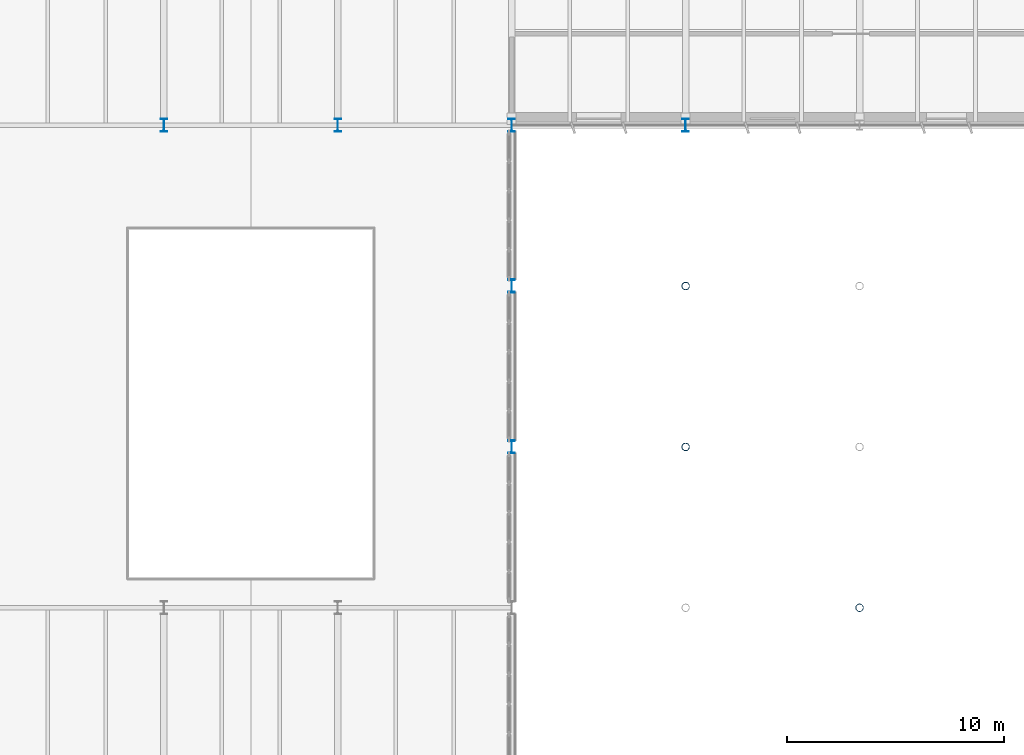
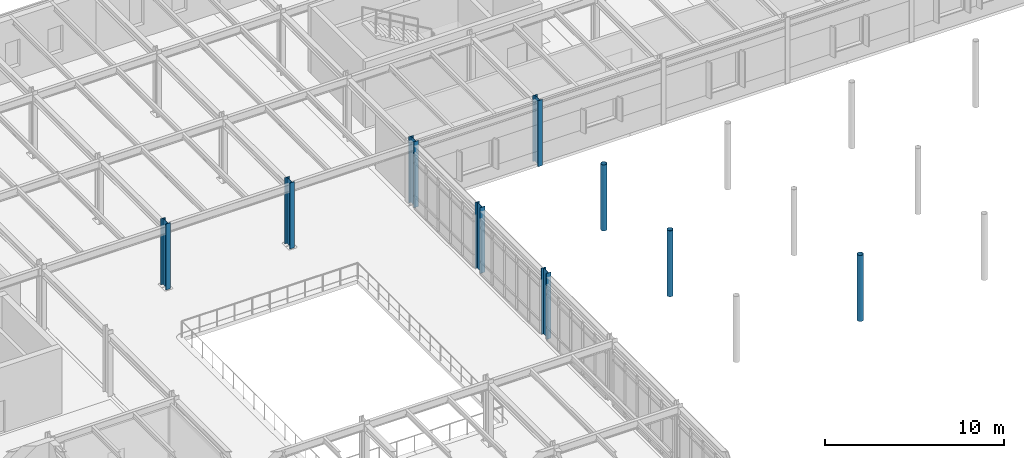
# One storey, part 5 of 75: 9 columns.
"""IFC4 building model written with IfcOpenShell, lengths in metres."""

import ifcopenshell
import ifcopenshell.guid

model = None  # the IFC model being written
_history = None  # IfcOwnerHistory: only IFC2X3 demands one
_inside = {}  # id of a spatial element -> (the spatial element, [elements in it])
_under = {}  # id of a project, library or spatial element -> (it, [spatial elements below it])
_declared = {}  # id of a project -> (the project, [libraries it declares])
_typed = {}  # id of a type object -> (the type object, [elements of that type])
_made_of = {}  # id of a material, layer set ... -> (it, [elements and type objects made of it])


def new_model(schema):
    """Start an empty IFC model of exactly this schema.

    Asked for "IFC4X3", IfcOpenShell would pick the latest addendum, in which some entities
    have other attributes; the version numbers below select the first issue.
    IFC2X3 requires an IfcOwnerHistory on every rooted entity: one is made here for all.
    """
    global model, _history
    if schema == "IFC4X3":
        model = ifcopenshell.file(schema_version=(4, 3, 0, 0))
    else:
        model = ifcopenshell.file(schema=schema)
    _inside.clear()
    _under.clear()
    _declared.clear()
    _typed.clear()
    _made_of.clear()
    _history = None
    if model.schema == "IFC2X3":
        org = make("IfcOrganization", Name="unknown")
        user = make(
            "IfcPersonAndOrganization",
            ThePerson=make("IfcPerson", FamilyName="unknown"),
            TheOrganization=org,
        )
        app = make(
            "IfcApplication",
            ApplicationDeveloper=org,
            Version="unknown",
            ApplicationFullName="unknown",
            ApplicationIdentifier="unknown",
        )
        _history = make(
            "IfcOwnerHistory",
            OwningUser=user,
            OwningApplication=app,
            ChangeAction="ADDED",
            CreationDate=0,
        )
    return model


def make(cls, **values):
    """One entity of the class cls with the attributes given. An attribute that is None is left unset."""
    return model.create_entity(
        cls, **{name: value for name, value in values.items() if value is not None}
    )


def rooted(cls, **values):
    """An entity with a GlobalId (a new one), such as an element, a storey or a relation."""
    return make(cls, GlobalId=ifcopenshell.guid.new(), OwnerHistory=_history, **values)


def si_unit(unit_type, name, prefix=None):
    """IfcSIUnit, for example si_unit("LENGTHUNIT", "METRE", prefix="MILLI")."""
    return make("IfcSIUnit", UnitType=unit_type, Prefix=prefix, Name=name)


def assignment(units):
    """IfcUnitAssignment: the units of a project."""
    return None if units is None else make("IfcUnitAssignment", Units=units)


def point(xyz):
    """IfcCartesianPoint."""
    return None if xyz is None else make("IfcCartesianPoint", Coordinates=xyz)


def direction(xyz):
    """IfcDirection."""
    return None if xyz is None else make("IfcDirection", DirectionRatios=xyz)


def frame(location, z_axis=None, x_axis=None):
    """IfcAxis2Placement3D, a coordinate frame: its origin and axes. An axis left out is left unset."""
    return make(
        "IfcAxis2Placement3D",
        Location=point(location),
        Axis=direction(z_axis),
        RefDirection=direction(x_axis),
    )


def frame_2d(location, x_axis=None):
    """IfcAxis2Placement2D, a coordinate frame in the plane: its origin and x axis."""
    return make(
        "IfcAxis2Placement2D", Location=point(location), RefDirection=direction(x_axis)
    )


def origin():
    """The frame at (0, 0, 0) with its axes left unset."""
    return frame((0.0, 0.0, 0.0))


def origin_2d():
    """The frame at (0, 0) in the plane with its x axis left unset."""
    return frame_2d((0.0, 0.0))


def place(relative_to, where):
    """IfcLocalPlacement: puts the frame where relative to a parent placement (None: the world)."""
    return make(
        "IfcLocalPlacement", PlacementRelTo=relative_to, RelativePlacement=where
    )


def context(
    kind, dimensions, precision=None, world=None, true_north=None, identifier=None
):
    """IfcGeometricRepresentationContext, for example the 3D "Model" context."""
    return make(
        "IfcGeometricRepresentationContext",
        ContextIdentifier=identifier,
        ContextType=kind,
        CoordinateSpaceDimension=dimensions,
        Precision=precision,
        WorldCoordinateSystem=world,
        TrueNorth=true_north,
    )


def subcontext(parent, identifier, kind, view, scale=None):
    """IfcGeometricRepresentationSubContext, for example "Body" below "Model"."""
    return make(
        "IfcGeometricRepresentationSubContext",
        ContextIdentifier=identifier,
        ContextType=kind,
        ParentContext=parent,
        TargetScale=scale,
        TargetView=view,
    )


def project(units=None, contexts=None):
    """IfcProject with its units and contexts."""
    return rooted(
        "IfcProject",
        Name="project",
        RepresentationContexts=contexts,
        UnitsInContext=assignment(units),
    )


def spatial(cls, under=None, at=None, **own):
    """A site, building, storey or space (cls), placed at a placement, below another one or the project."""
    s = rooted(cls, ObjectPlacement=at, **own)
    if under is not None:
        _under.setdefault(under.id(), (under, []))[1].append(s)
    return s


def profile(cls, at=None, kind="AREA", **sizes):
    """A parametric profile (cls). Its sizes go by their IFC names, for example OverallWidth=200.0."""
    return make(cls, ProfileType=kind, Position=at, **sizes)


def hollow_circle(**sizes):
    """IfcCircleHollowProfileDef."""
    return profile("IfcCircleHollowProfileDef", **sizes)


def i_section(**sizes):
    """IfcIShapeProfileDef."""
    return profile("IfcIShapeProfileDef", **sizes)


def extrude(swept, where, along, depth):
    """IfcExtrudedAreaSolid: the profile swept, set in the frame where, extruded along a direction by depth."""
    return make(
        "IfcExtrudedAreaSolid",
        SweptArea=swept,
        Position=where,
        ExtrudedDirection=direction(along),
        Depth=depth,
    )


def shape(context_of_items, identifier, shape_type, items):
    """IfcShapeRepresentation: the items that make up one representation, for example the "Body"."""
    return make(
        "IfcShapeRepresentation",
        ContextOfItems=context_of_items,
        RepresentationIdentifier=identifier,
        RepresentationType=shape_type,
        Items=items,
    )


def material(Name=None, Category=None):
    """IfcMaterial."""
    return make("IfcMaterial", Name=Name, Category=Category)


def material_profile(
    of_material, cross_section, Name=None, Category=None, Priority=None
):
    """IfcMaterialProfile: a cross section and its material."""
    return make(
        "IfcMaterialProfile",
        Name=Name,
        Material=of_material,
        Profile=cross_section,
        Priority=Priority,
        Category=Category,
    )


def profile_set(profiles, Name=None, composite=None):
    """IfcMaterialProfileSet."""
    return make(
        "IfcMaterialProfileSet",
        Name=Name,
        MaterialProfiles=profiles,
        CompositeProfile=composite,
    )


def made_of(thing, what):
    """Note that an element or type object is made of a material, layer set ...; save() writes the relation."""
    if what is not None:
        _made_of.setdefault(what.id(), (what, []))[1].append(thing)
    return thing


def type_object(cls, material=None, **own):
    """A type object (cls), such as IfcWallType, which elements share."""
    return made_of(rooted(cls, **own), material)


def element(
    cls,
    number,
    at=None,
    inside=None,
    cuts=None,
    type_object=None,
    material=None,
    context=None,
    identifier="Body",
    shape_type=None,
    held_by="IfcProductDefinitionShape",
    body=None,
    shapes=None,
    **own,
):
    """One element of the class cls, such as IfcWall. Its Tag is "e" and its number.

    at: its placement. inside: the storey or other place that contains it. cuts: it is an
    opening in that element (IfcRelVoidsElement). A single representation is given by context,
    identifier, shape_type and body (its items); several are given by shapes. held_by: the class
    of the entity that holds the representations. save() writes the other relations.
    """
    e = rooted(cls, Tag="e%d" % number, ObjectPlacement=at, **own)
    if body is not None:
        shapes = [shape(context, identifier, shape_type, body)]
    if shapes is not None:
        e.Representation = make(held_by, Representations=shapes)
    if inside is not None:
        _inside.setdefault(inside.id(), (inside, []))[1].append(e)
    if cuts is not None:
        rooted(
            "IfcRelVoidsElement", RelatingBuildingElement=cuts, RelatedOpeningElement=e
        )
    if type_object is not None:
        _typed.setdefault(type_object.id(), (type_object, []))[1].append(e)
    return made_of(e, material)


def aggregate(whole, parts):
    """IfcRelAggregates: a whole, such as a stair, and the parts it consists of."""
    return rooted("IfcRelAggregates", RelatingObject=whole, RelatedObjects=parts)


def save(model, path):
    """Write the relations noted so far, then the file.

    IfcRelAggregates (storeys below a building ...), IfcRelContainedInSpatialStructure (elements
    in a storey), IfcRelDefinesByType, IfcRelAssociatesMaterial and IfcRelDeclares: one each for
    every whole, place, type object, material and project.
    """
    for whole, parts in _under.values():
        aggregate(whole, parts)
    for where, things in _inside.values():
        rooted(
            "IfcRelContainedInSpatialStructure",
            RelatedElements=things,
            RelatingStructure=where,
        )
    for kind, things in _typed.values():
        rooted("IfcRelDefinesByType", RelatedObjects=things, RelatingType=kind)
    for what, things in _made_of.values():
        rooted("IfcRelAssociatesMaterial", RelatedObjects=things, RelatingMaterial=what)
    for by, libraries in _declared.values():
        rooted("IfcRelDeclares", RelatingContext=by, RelatedDefinitions=libraries)
    model.write(path)


model = new_model("IFC4")

# Units and contexts
model_context = context("Model", 3, precision=1e-05, world=origin(), true_north=direction((0.0, 1.0)))
body_context = subcontext(model_context, "Body", "Model", "MODEL_VIEW")
ifc_project = project(units=[si_unit("LENGTHUNIT", "METRE"), si_unit("AREAUNIT", "SQUARE_METRE"), si_unit("VOLUMEUNIT", "CUBIC_METRE"), si_unit("PLANEANGLEUNIT", "RADIAN"), si_unit("MASSUNIT", "GRAM", prefix="KILO")], contexts=[model_context])

# Site, building, storey
site_placement = place(None, origin())
site = spatial("IfcSite", under=ifc_project, at=site_placement, CompositionType="ELEMENT")
building_placement = place(site_placement, origin())
building = spatial("IfcBuilding", under=site, at=building_placement, Name="Valkorina Park Police Headquarters", CompositionType="ELEMENT")
storey_placement = place(building_placement, frame((0.0, 0.0, 5.39990234375)))
storey = spatial("IfcBuildingStorey", under=building, at=storey_placement, Name="L02", CompositionType="ELEMENT", Elevation=5.39990234375)

# Columns
ifc_material = material(Name="Steel S355", Category="steel")
ifc_material_profile_1 = material_profile(ifc_material, hollow_circle(Radius=0.177734375, WallThickness=0.01611328125, at=origin_2d()), Name="CHS 355.6x16")
ifc_profile_set_1 = profile_set([ifc_material_profile_1], Name="Steel S355")
column_type_1 = type_object("IfcColumnType", Name="COL-S355-CHS355-EXT", PredefinedType="COLUMN", material=ifc_profile_set_1)
for number, where, z_axis, x_axis, name in (
    (1, (88.800048828125, 44.39990234375, 0.0), (0.0, 0.0, 1.0), (1.0, 0.0, 0.0), "L02 Column 0621"),
    (2, (88.800048828125, 51.800048828125, 0.0), (0.0, 0.0, 1.0), (1.0, 0.0, 0.0), "L02 Column 0622"),
    (3, (96.800048828125, 37.0, 0.0), (0.0, 0.0, 1.0), (1.0, 0.0, 0.0), "L02 Column 0627"),
):
    element("IfcColumn", number, at=place(storey_placement, frame(where, z_axis=z_axis, x_axis=x_axis)), inside=storey, type_object=column_type_1, Name=name, PredefinedType="COLUMN", context=body_context, shape_type="SweptSolid", body=[
        extrude(hollow_circle(Radius=0.177734375, WallThickness=0.01611328125, at=origin_2d()), origin(), (0.0, 0.0, 1.0), 4.5),
    ])
ifc_material_profile_2 = material_profile(ifc_material, i_section(OverallWidth=0.300048828125, OverallDepth=0.60009765625, WebThickness=0.015380859375, FlangeThickness=0.030029296875, FilletRadius=0.027099609375, at=origin_2d()), Name="HEB 600")
ifc_profile_set_2 = profile_set([ifc_material_profile_2], Name="Steel S355")
column_type_2 = type_object("IfcColumnType", Name="COL-S355-HEB600-EXT", PredefinedType="COLUMN", material=ifc_profile_set_2)
for number, where, z_axis, x_axis, name in (
    (4, (80.800048828125, 44.39990234375, 0.0), (0.0, 0.0, 1.0), (1.0, 0.0, 0.0), "L02 Column 0614"),
    (5, (80.800048828125, 51.800048828125, 0.0), (0.0, 0.0, 1.0), (1.0, 0.0, 0.0), "L02 Column 0615"),
    (6, (80.800048828125, 59.199951171875, 0.0), (0.0, 0.0, 1.0), (1.0, 0.0, 0.0), "L02 Column 0616"),
    (7, (88.800048828125, 59.199951171875, 0.0), (0.0, 0.0, 1.0), (1.0, 0.0, 0.0), "L02 Column 0623"),
):
    element("IfcColumn", number, at=place(storey_placement, frame(where, z_axis=z_axis, x_axis=x_axis)), inside=storey, type_object=column_type_2, Name=name, PredefinedType="COLUMN", context=body_context, shape_type="SweptSolid", body=[
        extrude(i_section(OverallWidth=0.300048828125, OverallDepth=0.60009765625, WebThickness=0.015380859375, FlangeThickness=0.030029296875, FilletRadius=0.027099609375, at=origin_2d()), origin(), (0.0, 0.0, 1.0), 4.5),
    ])
ifc_material_profile_3 = material_profile(ifc_material, i_section(OverallWidth=0.300048828125, OverallDepth=0.60009765625, WebThickness=0.015380859375, FlangeThickness=0.030029296875, FilletRadius=0.027099609375, at=origin_2d()), Name="HEB 600")
ifc_profile_set_3 = profile_set([ifc_material_profile_3], Name="Steel S355")
column_type_3 = type_object("IfcColumnType", Name="COL-S355-HEB600-INT", PredefinedType="COLUMN", material=ifc_profile_set_3)
for number, where, z_axis, x_axis, name in (
    (8, (64.800048828125, 59.199951171875, 0.0), (0.0, 0.0, 1.0), (1.0, 0.0, 0.0), "L02 Column 0600"),
    (9, (72.800048828125, 59.199951171875, 0.0), (0.0, 0.0, 1.0), (1.0, 0.0, 0.0), "L02 Column 0607"),
):
    element("IfcColumn", number, at=place(storey_placement, frame(where, z_axis=z_axis, x_axis=x_axis)), inside=storey, type_object=column_type_3, Name=name, PredefinedType="COLUMN", context=body_context, shape_type="SweptSolid", body=[
        extrude(i_section(OverallWidth=0.300048828125, OverallDepth=0.60009765625, WebThickness=0.015380859375, FlangeThickness=0.030029296875, FilletRadius=0.027099609375, at=origin_2d()), origin(), (0.0, 0.0, 1.0), 4.5),
    ])

save(model, "model.ifc")
